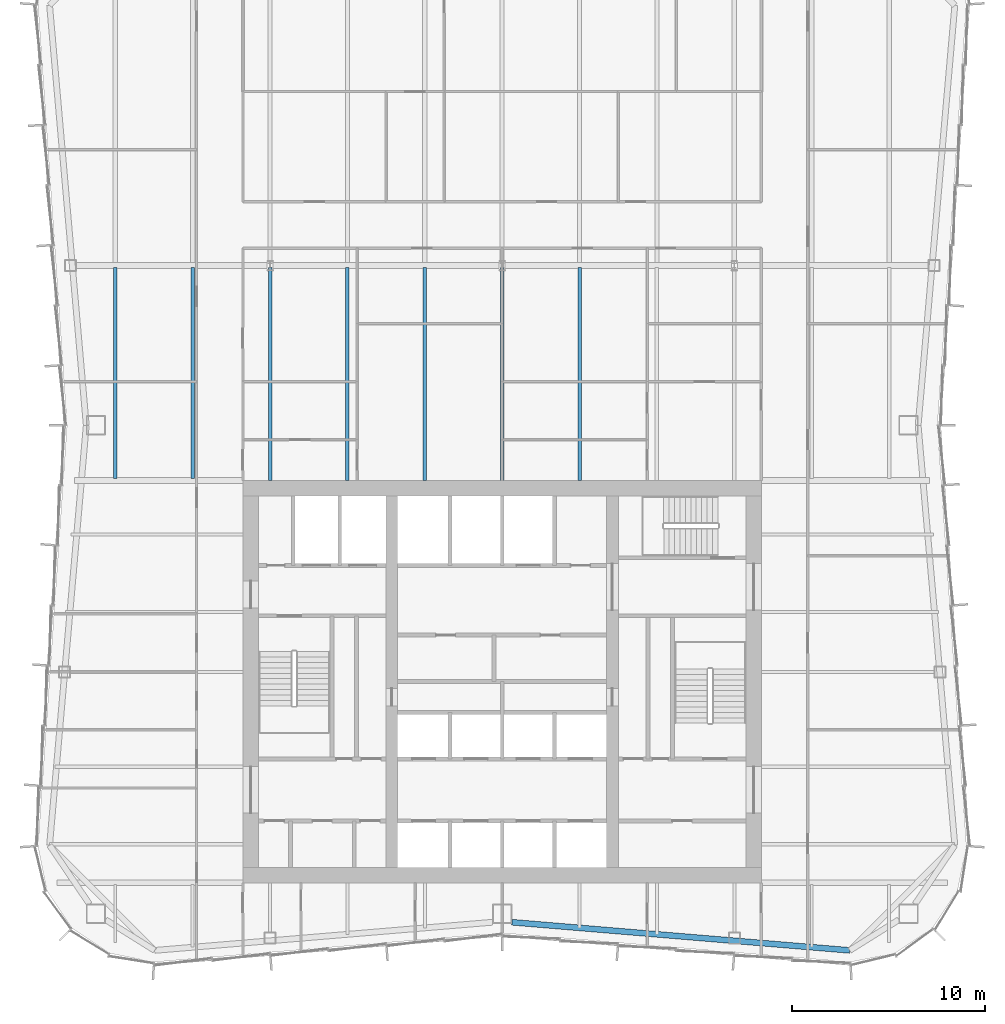
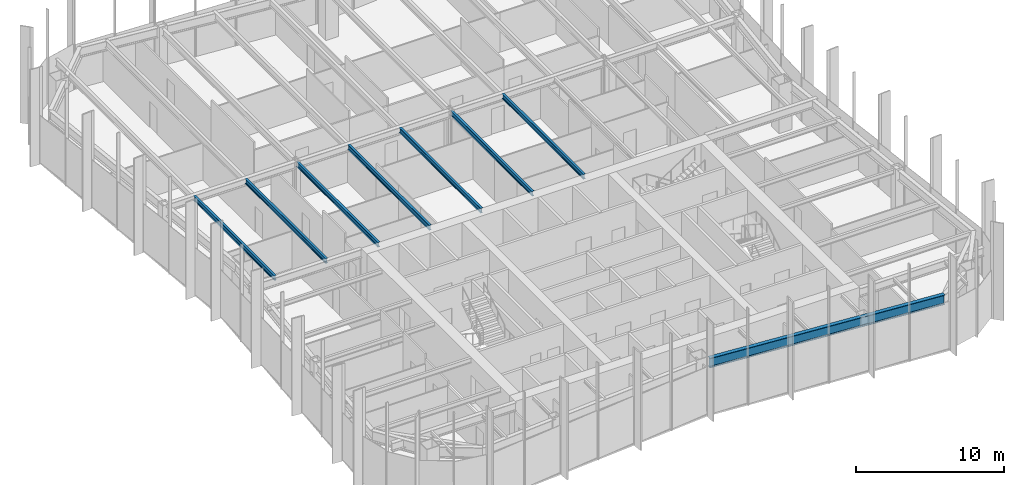
# One storey, part 4 of 15: 8 beams.
"""IFC4 building model written with IfcOpenShell, lengths in metres."""

from ifc_helpers import new_model, si_unit, direction, frame, origin, origin_2d, place, context, subcontext, project, spatial, i_section, extrude, material, material_profile, profile_set, type_object, element, save


model = new_model("IFC4")

# Units and contexts
model_context = context("Model", 3, precision=1e-05, world=origin(), true_north=direction((0.0, 1.0)))
body_context = subcontext(model_context, "Body", "Model", "MODEL_VIEW")
ifc_project = project(units=[si_unit("LENGTHUNIT", "METRE"), si_unit("AREAUNIT", "SQUARE_METRE"), si_unit("VOLUMEUNIT", "CUBIC_METRE"), si_unit("PLANEANGLEUNIT", "RADIAN"), si_unit("MASSUNIT", "GRAM", prefix="KILO")], contexts=[model_context])

# Site, building, storey
site_placement = place(None, origin())
site = spatial("IfcSite", under=ifc_project, at=site_placement, CompositionType="ELEMENT")
building_placement = place(site_placement, origin())
building = spatial("IfcBuilding", under=site, at=building_placement, Name="Verdant Reach Tower", CompositionType="ELEMENT")
storey_placement = place(building_placement, frame((0.0, 0.0, 274.0)))
storey = spatial("IfcBuildingStorey", under=building, at=storey_placement, Name="L63", CompositionType="ELEMENT", Elevation=274.0)

# Beams
ifc_material = material(Name="Steel S355", Category="steel")
ifc_material_profile_1 = material_profile(ifc_material, i_section(OverallWidth=0.179931640625, OverallDepth=0.39990234375, WebThickness=0.008544921875, FlangeThickness=0.013427734375, FilletRadius=0.02099609375, at=origin_2d()), Name="IPE 400")
ifc_profile_set_1 = profile_set([ifc_material_profile_1], Name="Steel S355")
beam_type_1 = type_object("IfcBeamType", Name="ST-JOIST-IPE400", PredefinedType="JOIST", material=ifc_profile_set_1)
for number, where, z_axis, x_axis, name in (
    (1, (-20.0, 38.5, 3.669921875), (0.0, 1.0, 0.0), (-1.0, 0.0, 0.0), "Floor joist, L63"),
    (2, (-16.0, 38.5, 3.669921875), (0.0, 1.0, 0.0), (-1.0, 0.0, 0.0), "Floor joist, L63"),
):
    element("IfcBeam", number, at=place(storey_placement, frame(where, z_axis=z_axis, x_axis=x_axis)), inside=storey, type_object=beam_type_1, Name=name, PredefinedType="JOIST", context=body_context, shape_type="SweptSolid", body=[
        extrude(i_section(OverallWidth=0.179931640625, OverallDepth=0.39990234375, WebThickness=0.008544921875, FlangeThickness=0.013427734375, FilletRadius=0.02099609375, at=origin_2d()), origin(), (0.0, 0.0, 1.0), 10.89990234375),
    ])
for number, where, z_axis, x_axis, name in (
    (3, (-12.0, 38.39990234375, 3.669921875), (0.0, 1.0, 0.0), (-1.0, 0.0, 0.0), "Floor joist, L63"),
    (4, (-8.0, 38.39990234375, 3.669921875), (0.0, 1.0, 0.0), (-1.0, 0.0, 0.0), "Floor joist, L63"),
    (5, (-4.0, 38.39990234375, 3.669921875), (0.0, 1.0, 0.0), (-1.0, 0.0, 0.0), "Floor joist, L63"),
    (6, (0.0, 38.39990234375, 3.669921875), (0.0, 1.0, 0.0), (-1.0, 0.0, 0.0), "Floor joist, L63"),
    (7, (4.0, 38.39990234375, 3.669921875), (0.0, 1.0, 0.0), (-1.0, 0.0, 0.0), "Floor joist, L63"),
):
    element("IfcBeam", number, at=place(storey_placement, frame(where, z_axis=z_axis, x_axis=x_axis)), inside=storey, type_object=beam_type_1, Name=name, PredefinedType="JOIST", context=body_context, shape_type="SweptSolid", body=[
        extrude(i_section(OverallWidth=0.179931640625, OverallDepth=0.39990234375, WebThickness=0.008544921875, FlangeThickness=0.013427734375, FilletRadius=0.02099609375, at=origin_2d()), origin(), (0.0, 0.0, 1.0), 11.0),
    ])
ifc_material_profile_2 = material_profile(ifc_material, i_section(OverallWidth=0.300048828125, OverallDepth=0.800048828125, WebThickness=0.017578125, FlangeThickness=0.032958984375, FilletRadius=0.030029296875, at=origin_2d()), Name="HEB 800")
ifc_profile_set_2 = profile_set([ifc_material_profile_2], Name="Steel S355")
beam_type_2 = type_object("IfcBeamType", Name="ST-SPANDREL-HEB800", PredefinedType="SPANDREL", material=ifc_profile_set_2)
beam_placement = place(storey_placement, frame((17.9658203125, 14.10498046875, 3.469970703125), z_axis=(-0.99654652675, 0.083036257282, 0.0), x_axis=(-0.083036257282, -0.99654652675, 0.0)))
element("IfcBeam", 8, at=beam_placement, inside=storey, type_object=beam_type_2, Name="Edge beam, L63", PredefinedType="SPANDREL", context=body_context, shape_type="SweptSolid", body=[
    extrude(i_section(OverallWidth=0.300048828125, OverallDepth=0.800048828125, WebThickness=0.017578125, FlangeThickness=0.032958984375, FilletRadius=0.030029296875, at=origin_2d()), origin(), (0.0, 0.0, 1.0), 17.5263671875),
])

save(model, "model.ifc")
